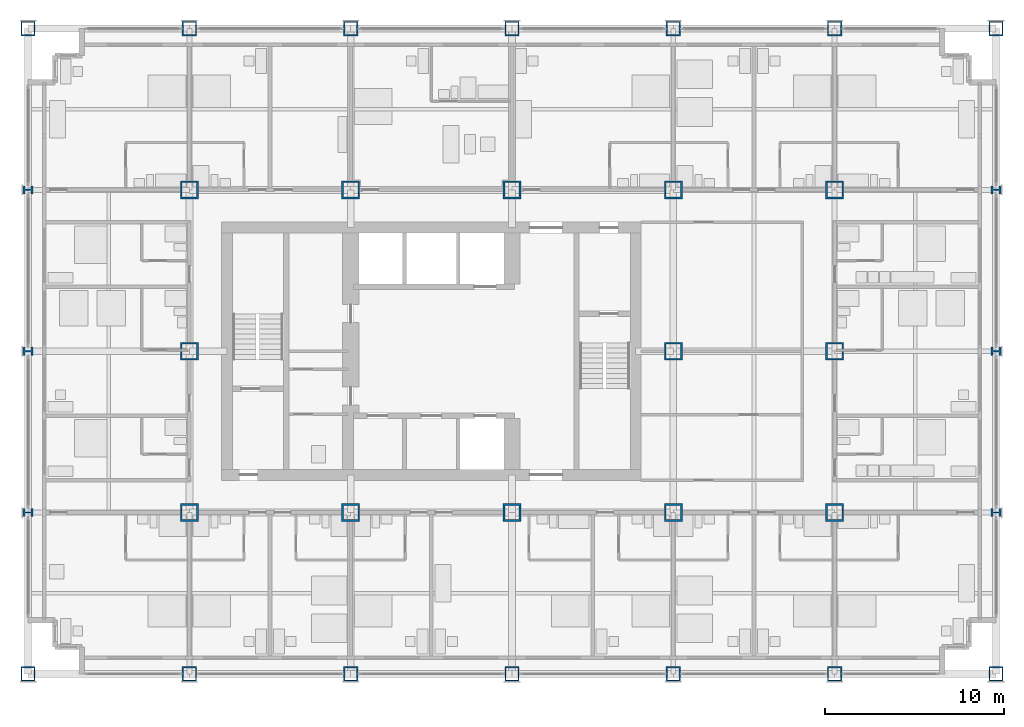
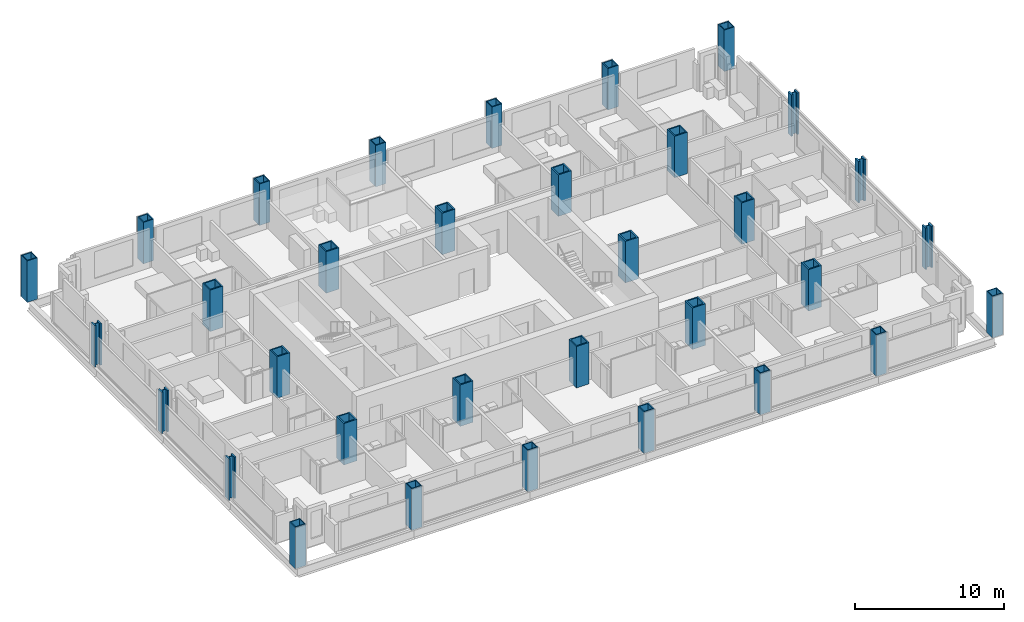
# One storey, part 1 of 19: 33 columns.
"""IFC4 building model written with IfcOpenShell, lengths in metres."""

from ifc_helpers import new_model, si_unit, direction, frame, origin, origin_2d, place, context, subcontext, project, spatial, hollow_rectangle, i_section, extrude, material, material_profile, profile_set, type_object, element, save


model = new_model("IFC4")

# Units and contexts
model_context = context("Model", 3, precision=1e-05, world=origin(), true_north=direction((0.0, 1.0)))
body_context = subcontext(model_context, "Body", "Model", "MODEL_VIEW")
ifc_project = project(units=[si_unit("LENGTHUNIT", "METRE"), si_unit("AREAUNIT", "SQUARE_METRE"), si_unit("VOLUMEUNIT", "CUBIC_METRE"), si_unit("PLANEANGLEUNIT", "RADIAN"), si_unit("MASSUNIT", "GRAM", prefix="KILO")], contexts=[model_context])

# Site, building, storey
site_placement = place(None, origin())
site = spatial("IfcSite", under=ifc_project, at=site_placement, CompositionType="ELEMENT")
building_placement = place(site_placement, origin())
building = spatial("IfcBuilding", under=site, at=building_placement, Name="Loomwork Tower", CompositionType="ELEMENT")
storey_placement = place(building_placement, frame((0.0, 0.0, 85.800048828125)))
storey = spatial("IfcBuildingStorey", under=building, at=storey_placement, Name="L22", CompositionType="ELEMENT", Elevation=85.800048828125)

# Columns
ifc_material_1 = material(Name="Steel ASTM A572 Grade 50 plate", Category="steel")
ifc_material_profile_1 = material_profile(ifc_material_1, hollow_rectangle(XDim=0.800048828125, YDim=0.800048828125, WallThickness=0.070068359375, at=origin_2d()), Name="BOX800x70")
ifc_profile_set_1 = profile_set([ifc_material_profile_1], Name="Steel ASTM A572 Grade 50 plate")
column_type_1 = type_object("IfcColumnType", Name="EXOSKELETON PIER BOX800x70", PredefinedType="COLUMN", material=ifc_profile_set_1)
for number, where, z_axis, x_axis, name in (
    (1, (0.0, 0.0, 0.0), (0.0, 0.0, 1.0), (1.0, 0.0, 0.0), "Exoskeleton Pier D/2 L22"),
    (2, (0.0, 36.0, 0.0), (0.0, 0.0, 1.0), (1.0, 0.0, 0.0), "Exoskeleton Pier H/2 L22"),
    (3, (9.0, 0.0, 0.0), (0.0, 0.0, 1.0), (1.0, 0.0, 0.0), "Exoskeleton Pier D/3 L22"),
    (4, (9.0, 36.0, 0.0), (0.0, 0.0, 1.0), (1.0, 0.0, 0.0), "Exoskeleton Pier H/3 L22"),
    (5, (18.0, 0.0, 0.0), (0.0, 0.0, 1.0), (1.0, 0.0, 0.0), "Exoskeleton Pier D/4 L22"),
    (6, (18.0, 36.0, 0.0), (0.0, 0.0, 1.0), (1.0, 0.0, 0.0), "Exoskeleton Pier H/4 L22"),
    (7, (27.0, 0.0, 0.0), (0.0, 0.0, 1.0), (1.0, 0.0, 0.0), "Exoskeleton Pier D/5 L22"),
    (8, (27.0, 36.0, 0.0), (0.0, 0.0, 1.0), (1.0, 0.0, 0.0), "Exoskeleton Pier H/5 L22"),
    (9, (36.0, 0.0, 0.0), (0.0, 0.0, 1.0), (1.0, 0.0, 0.0), "Exoskeleton Pier D/6 L22"),
    (10, (36.0, 36.0, 0.0), (0.0, 0.0, 1.0), (1.0, 0.0, 0.0), "Exoskeleton Pier H/6 L22"),
    (11, (45.0, 0.0, 0.0), (0.0, 0.0, 1.0), (1.0, 0.0, 0.0), "Exoskeleton Pier D/7 L22"),
    (12, (45.0, 36.0, 0.0), (0.0, 0.0, 1.0), (1.0, 0.0, 0.0), "Exoskeleton Pier H/7 L22"),
    (13, (54.0, 0.0, 0.0), (0.0, 0.0, 1.0), (1.0, 0.0, 0.0), "Exoskeleton Pier D/8 L22"),
    (14, (54.0, 36.0, 0.0), (0.0, 0.0, 1.0), (1.0, 0.0, 0.0), "Exoskeleton Pier H/8 L22"),
):
    element("IfcColumn", number, at=place(storey_placement, frame(where, z_axis=z_axis, x_axis=x_axis)), inside=storey, type_object=column_type_1, Name=name, PredefinedType="COLUMN", context=body_context, shape_type="SweptSolid", body=[
        extrude(hollow_rectangle(XDim=0.800048828125, YDim=0.800048828125, WallThickness=0.070068359375, at=origin_2d()), origin(), (0.0, 0.0, 1.0), 3.39990234375),
    ])
ifc_material_2 = material(Name="Steel ASTM A992", Category="steel")
ifc_material_profile_2 = material_profile(ifc_material_2, i_section(OverallWidth=0.45458984375, OverallDepth=0.56884765625, WebThickness=0.077880859375, FlangeThickness=0.124755859375, at=origin_2d()), Name="W14x730")
ifc_profile_set_2 = profile_set([ifc_material_profile_2], Name="Steel ASTM A992")
column_type_2 = type_object("IfcColumnType", Name="EXOSKELETON PIER W14x730", PredefinedType="COLUMN", material=ifc_profile_set_2)
for number, where, z_axis, x_axis, name in (
    (15, (0.0, 9.0, 0.0), (0.0, 0.0, 1.0), (0.0, 1.0, 0.0), "Exoskeleton Pier E/2 L22"),
    (16, (0.0, 18.0, 0.0), (0.0, 0.0, 1.0), (0.0, 1.0, 0.0), "Exoskeleton Pier F/2 L22"),
    (17, (0.0, 27.0, 0.0), (0.0, 0.0, 1.0), (0.0, 1.0, 0.0), "Exoskeleton Pier G/2 L22"),
    (18, (54.0, 9.0, 0.0), (0.0, 0.0, 1.0), (0.0, 1.0, 0.0), "Exoskeleton Pier E/8 L22"),
    (19, (54.0, 18.0, 0.0), (0.0, 0.0, 1.0), (0.0, 1.0, 0.0), "Exoskeleton Pier F/8 L22"),
    (20, (54.0, 27.0, 0.0), (0.0, 0.0, 1.0), (0.0, 1.0, 0.0), "Exoskeleton Pier G/8 L22"),
):
    element("IfcColumn", number, at=place(storey_placement, frame(where, z_axis=z_axis, x_axis=x_axis)), inside=storey, type_object=column_type_2, Name=name, PredefinedType="COLUMN", context=body_context, shape_type="SweptSolid", body=[
        extrude(i_section(OverallWidth=0.45458984375, OverallDepth=0.56884765625, WebThickness=0.077880859375, FlangeThickness=0.124755859375, at=origin_2d()), origin(), (0.0, 0.0, 1.0), 3.39990234375),
    ])
ifc_material_3 = material(Name="Steel ASTM A572 Grade 50 plate", Category="steel")
ifc_material_profile_3 = material_profile(ifc_material_3, hollow_rectangle(XDim=1.0, YDim=1.0, WallThickness=0.10009765625, at=origin_2d()), Name="BOX1000x100")
ifc_profile_set_3 = profile_set([ifc_material_profile_3], Name="Steel ASTM A572 Grade 50 plate")
column_type_3 = type_object("IfcColumnType", Name="TOWER COLUMN BOX1000x100", PredefinedType="COLUMN", material=ifc_profile_set_3)
for number, where, z_axis, x_axis, name in (
    (21, (9.0, 9.0, 0.0), (0.0, 0.0, 1.0), (1.0, 0.0, 0.0), "Tower Column E/3 L22"),
    (22, (9.0, 18.0, 0.0), (0.0, 0.0, 1.0), (1.0, 0.0, 0.0), "Tower Column F/3 L22"),
    (23, (9.0, 27.0, 0.0), (0.0, 0.0, 1.0), (1.0, 0.0, 0.0), "Tower Column G/3 L22"),
    (24, (18.0, 9.0, 0.0), (0.0, 0.0, 1.0), (1.0, 0.0, 0.0), "Tower Column E/4 L22"),
    (25, (18.0, 27.0, 0.0), (0.0, 0.0, 1.0), (1.0, 0.0, 0.0), "Tower Column G/4 L22"),
    (26, (27.0, 9.0, 0.0), (0.0, 0.0, 1.0), (1.0, 0.0, 0.0), "Tower Column E/5 L22"),
    (27, (27.0, 27.0, 0.0), (0.0, 0.0, 1.0), (1.0, 0.0, 0.0), "Tower Column G/5 L22"),
    (28, (36.0, 9.0, 0.0), (0.0, 0.0, 1.0), (0.0, 1.0, 0.0), "Tower Column E/6 L22"),
    (29, (36.0, 18.0, 0.0), (0.0, 0.0, 1.0), (0.0, 1.0, 0.0), "Tower Column F/6 L22"),
    (30, (36.0, 27.0, 0.0), (0.0, 0.0, 1.0), (1.0, 0.0, 0.0), "Tower Column G/6 L22"),
    (31, (45.0, 9.0, 0.0), (0.0, 0.0, 1.0), (0.0, 1.0, 0.0), "Tower Column E/7 L22"),
    (32, (45.0, 18.0, 0.0), (0.0, 0.0, 1.0), (0.0, 1.0, 0.0), "Tower Column F/7 L22"),
    (33, (45.0, 27.0, 0.0), (0.0, 0.0, 1.0), (0.0, 1.0, 0.0), "Tower Column G/7 L22"),
):
    element("IfcColumn", number, at=place(storey_placement, frame(where, z_axis=z_axis, x_axis=x_axis)), inside=storey, type_object=column_type_3, Name=name, PredefinedType="COLUMN", context=body_context, shape_type="SweptSolid", body=[
        extrude(hollow_rectangle(XDim=1.0, YDim=1.0, WallThickness=0.10009765625, at=origin_2d()), origin(), (0.0, 0.0, 1.0), 3.39990234375),
    ])

save(model, "model.ifc")
